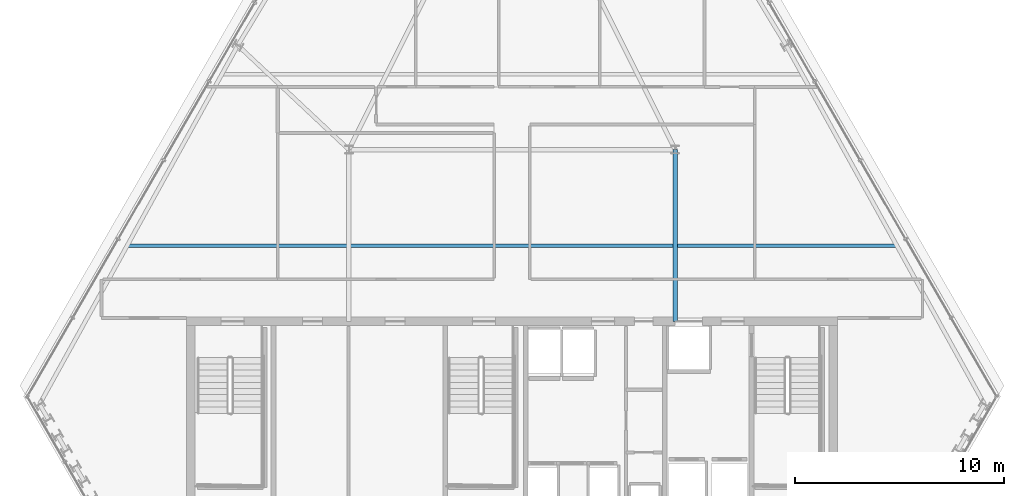
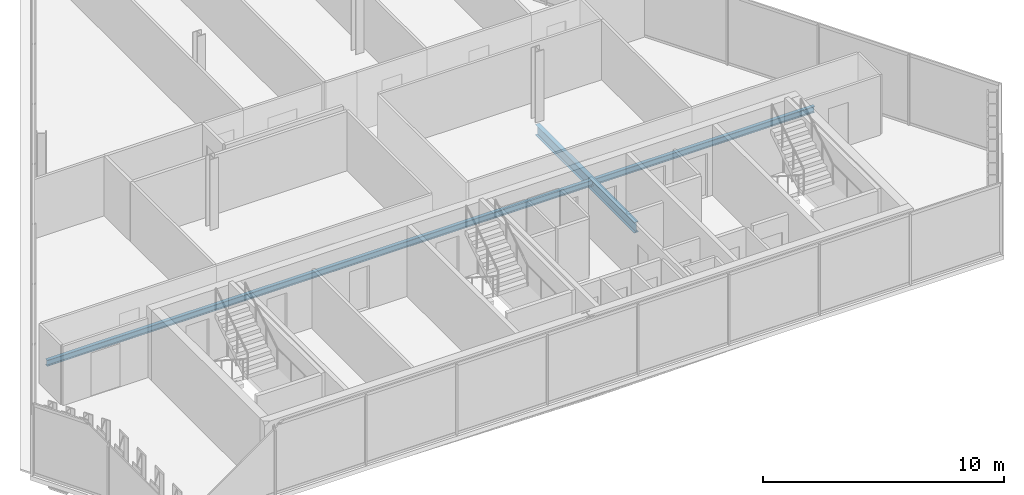
# One storey, part 9 of 29: 2 beams.
"""IFC4 building model written with IfcOpenShell, lengths in metres."""

from ifc_helpers import new_model, si_unit, direction, frame, origin, origin_2d, place, context, subcontext, project, spatial, i_section, extrude, material, material_profile, profile_set, type_object, element, save


model = new_model("IFC4")

# Units and contexts
model_context = context("Model", 3, precision=1e-05, world=origin(), true_north=direction((0.0, 1.0)))
body_context = subcontext(model_context, "Body", "Model", "MODEL_VIEW")
ifc_project = project(units=[si_unit("LENGTHUNIT", "METRE"), si_unit("AREAUNIT", "SQUARE_METRE"), si_unit("VOLUMEUNIT", "CUBIC_METRE"), si_unit("PLANEANGLEUNIT", "RADIAN"), si_unit("MASSUNIT", "GRAM", prefix="KILO")], contexts=[model_context])

# Site, building, storey
site_placement = place(None, origin())
site = spatial("IfcSite", under=ifc_project, at=site_placement, CompositionType="ELEMENT")
building_placement = place(site_placement, origin())
building = spatial("IfcBuilding", under=site, at=building_placement, Name="Ndaravel Arena Tower", CompositionType="ELEMENT")
storey_placement = place(building_placement, frame((0.0, 0.0, 229.39990234375)))
storey = spatial("IfcBuildingStorey", under=building, at=storey_placement, Name="L55", CompositionType="ELEMENT", Elevation=229.39990234375)

# Beams
ifc_material_1 = material(Name="Steel S355", Category="steel")
ifc_material_profile_1 = material_profile(ifc_material_1, i_section(OverallWidth=0.210693359375, OverallDepth=0.53955078125, WebThickness=0.01171875, FlangeThickness=0.018798828125, FilletRadius=0.0126953125, at=origin_2d()), Name="UB 533x210x109")
ifc_profile_set_1 = profile_set([ifc_material_profile_1], Name="Steel S355")
beam_type_1 = type_object("IfcBeamType", Name="BM-GIRD-UB533", PredefinedType="BEAM", material=ifc_profile_set_1)
beam_1_placement = place(storey_placement, frame((49.800048828125, 14.97998046875, -0.489501953125), z_axis=(0.0, 1.0, 0.0), x_axis=(-1.0, 0.0, 0.0)))
element("IfcBeam", 1, at=beam_1_placement, inside=storey, type_object=beam_type_1, Name="L55 Spine Link Girder SLG-02", PredefinedType="BEAM", context=body_context, shape_type="SweptSolid", body=[
    extrude(i_section(OverallWidth=0.210693359375, OverallDepth=0.53955078125, WebThickness=0.01171875, FlangeThickness=0.018798828125, FilletRadius=0.0126953125, at=origin_2d()), origin(), (0.0, 0.0, 1.0), 8.219970703125),
])
ifc_material_2 = material(Name="Steel S355", Category="steel")
ifc_material_profile_2 = material_profile(ifc_material_2, i_section(OverallWidth=0.165771484375, OverallDepth=0.306640625, WebThickness=0.006591796875, FlangeThickness=0.01171875, FilletRadius=0.0087890625, at=origin_2d()), Name="UB 305x165x46")
ifc_profile_set_2 = profile_set([ifc_material_profile_2], Name="Steel S355")
beam_type_2 = type_object("IfcBeamType", Name="BM-JOIST-UB305", PredefinedType="JOIST", material=ifc_profile_set_2)
beam_2_placement = place(storey_placement, frame((23.599365234375, 18.60009765625, -0.373291015625), z_axis=(1.0, 0.0, 0.0), x_axis=(0.0, 1.0, 0.0)))
element("IfcBeam", 2, at=beam_2_placement, inside=storey, type_object=beam_type_2, Name="L55 Composite Floor Joist FJ-01", PredefinedType="JOIST", context=body_context, shape_type="SweptSolid", body=[
    extrude(i_section(OverallWidth=0.165771484375, OverallDepth=0.306640625, WebThickness=0.006591796875, FlangeThickness=0.01171875, FilletRadius=0.0087890625, at=origin_2d()), origin(), (0.0, 0.0, 1.0), 36.80126953125),
])

save(model, "model.ifc")
